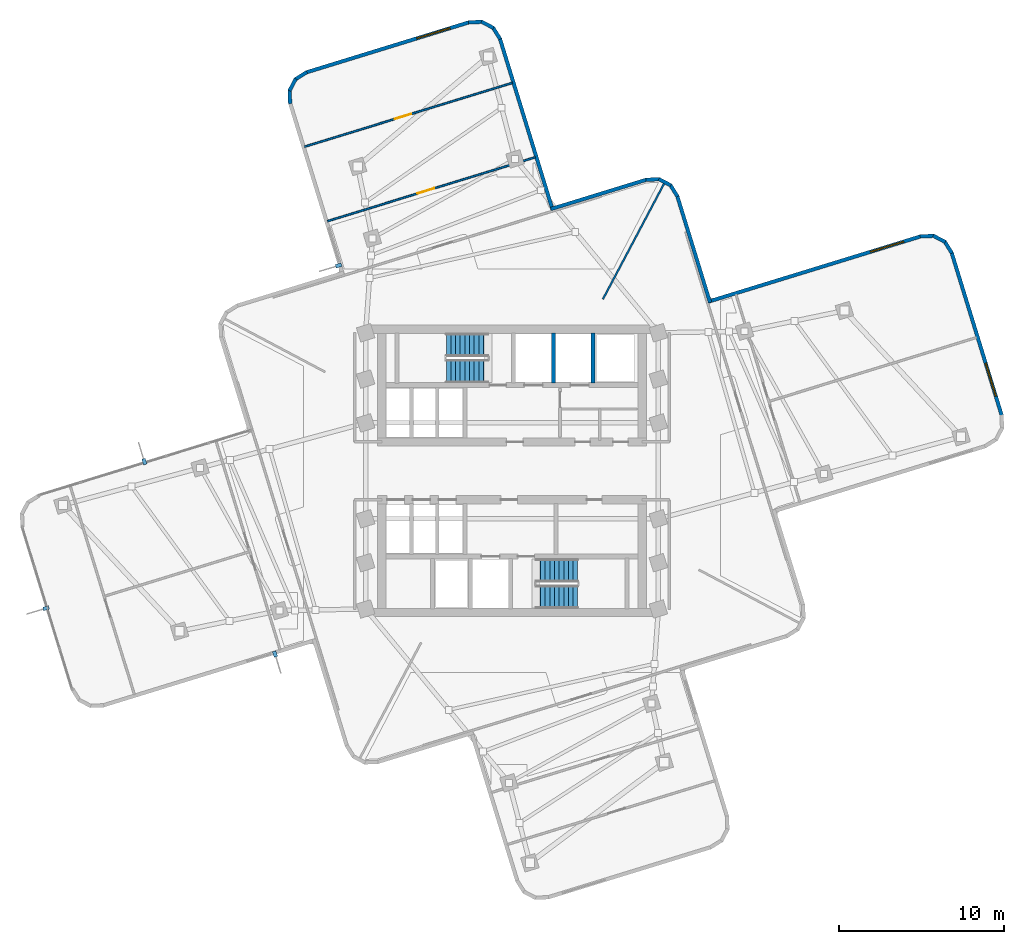
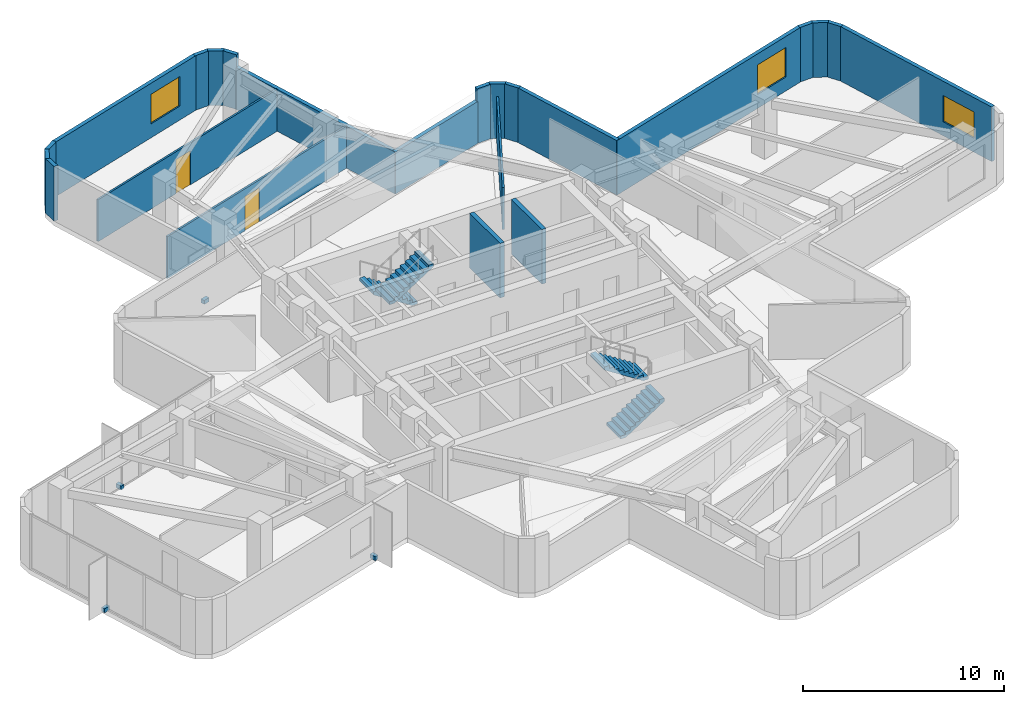
# One storey, part 8 of 10: 23 walls, 4 discrete accessories, 4 stair flights, 3 windows, 2 doors, 5 openings, 2 elements without a shape of their own.
"""IFC4 building model written with IfcOpenShell, lengths in metres."""

from ifc_helpers import new_model, si_unit, direction, frame, frame_2d, origin, origin_2d, place, context, subcontext, project, spatial, polyline, rectangle, outline, extrude, material, layer, layer_set, type_object, element, fill, aggregate, save


model = new_model("IFC4")

# Units and contexts
model_context = context("Model", 3, precision=1e-05, world=origin(), true_north=direction((0.0, 1.0)))
body_context = subcontext(model_context, "Body", "Model", "MODEL_VIEW")
ifc_project = project(units=[si_unit("LENGTHUNIT", "METRE"), si_unit("AREAUNIT", "SQUARE_METRE"), si_unit("VOLUMEUNIT", "CUBIC_METRE"), si_unit("PLANEANGLEUNIT", "RADIAN"), si_unit("MASSUNIT", "GRAM", prefix="KILO")], contexts=[model_context])

# Site, building, storey
site_placement = place(None, origin())
site = spatial("IfcSite", under=ifc_project, at=site_placement, CompositionType="ELEMENT")
building_placement = place(site_placement, origin())
building = spatial("IfcBuilding", under=site, at=building_placement, Name="Solmarez Civic Tower", CompositionType="ELEMENT")
storey_placement = place(building_placement, frame((0.0, 0.0, 148.679931640625)))
storey = spatial("IfcBuildingStorey", under=building, at=storey_placement, Name="L39", CompositionType="ELEMENT", Elevation=148.679931640625)

# Walls
ifc_material_1 = material(Name="Precast concrete C40/50", Category="concrete")
ifc_layer_1 = layer(ifc_material_1, 0.219970703125)
ifc_layer_set_1 = layer_set([ifc_layer_1], Name="Precast concrete C40/50")
wall_type_1 = type_object("IfcWallType", Name="WALL-EXT-220", PredefinedType="SOLIDWALL", material=ifc_layer_set_1)
wall_1_placement = place(storey_placement, frame((-13.416015625, 22.197998046875, 0.0), z_axis=(0.0, 0.0, 1.0), x_axis=(-0.037195813461, 0.999307996296, 0.0)))
element("IfcWall", 1, at=wall_1_placement, inside=storey, type_object=wall_type_1, Name="L39 Exterior Precast Wall 21", PredefinedType="SOLIDWALL", context=body_context, shape_type="SweptSolid", body=[
    extrude(rectangle(XDim=0.83349609375, YDim=0.219970703125, at=frame_2d((0.416748046875, 0.0))), origin(), (0.0, 0.0, 1.0), 3.320068359375),
])
wall_2_placement = place(storey_placement, frame((-13.4580078125, 22.98388671875, 0.0), z_axis=(0.0, 0.0, 1.0), x_axis=(0.46853080902, 0.883447158012, 0.0)))
element("IfcWall", 2, at=wall_2_placement, inside=storey, type_object=wall_type_1, Name="L39 Exterior Precast Wall 22", PredefinedType="SOLIDWALL", context=body_context, shape_type="SweptSolid", body=[
    extrude(rectangle(XDim=0.819580078125, YDim=0.219970703125, at=frame_2d((0.40966796875, 0.0))), origin(), (0.0, 0.0, 1.0), 3.320068359375),
])
wall_3_placement = place(storey_placement, frame((-13.10693359375, 23.673095703125, 0.0), z_axis=(0.0, 0.0, 1.0), x_axis=(0.847141460322, 0.531367430506, 0.0)))
element("IfcWall", 3, at=wall_3_placement, inside=storey, type_object=wall_type_1, Name="L39 Exterior Precast Wall 23", PredefinedType="SOLIDWALL", context=body_context, shape_type="SweptSolid", body=[
    extrude(rectangle(XDim=0.83349609375, YDim=0.219970703125, at=frame_2d((0.416748046875, 0.0))), origin(), (0.0, 0.0, 1.0), 3.320068359375),
])

# Wall, opening, window
wall_4_placement = place(storey_placement, frame((-12.446044921875, 24.095947265625, 0.0), z_axis=(0.0, 0.0, 1.0), x_axis=(0.955818382151, 0.293957854703, 0.0)))
wall_4 = element("IfcWall", 4, at=wall_4_placement, inside=storey, type_object=wall_type_1, Name="L39 Exterior Precast Wall 24", PredefinedType="SOLIDWALL", context=body_context, shape_type="SweptSolid", body=[
    extrude(rectangle(XDim=10.321044921875, YDim=0.219970703125, at=frame_2d((5.16064453125, 0.0))), origin(), (0.0, 0.0, 1.0), 3.320068359375),
])
opening_1_placement = place(wall_4_placement, frame((7.0, 0.0, 0.85009765625)))
opening_1 = element("IfcOpeningElement", 5, at=opening_1_placement, cuts=wall_4, Name="Opening W-07", PredefinedType="OPENING", context=body_context, shape_type="SweptSolid", body=[
    extrude(rectangle(XDim=2.10009765625, YDim=1.800048828125, at=frame_2d((1.050048828125, 0.89990234375))), frame((0.0, 0.119873046875, 0.0), z_axis=(0.0, -1.0, 0.0), x_axis=(1.0, 0.0, 0.0)), (0.0, 0.0, 1.0), 0.239990234375),
])
ifc_material_2 = material(Name="Solar Control Bronze-Tinted Insulating Glass", Category="glass")
window_type_1 = type_object("IfcWindowType", Name="WIN-2100X1800", PartitioningType="SINGLE_PANEL", PredefinedType="WINDOW", material=ifc_material_2)
window_1_placement = place(opening_1_placement, origin())
window_1 = element("IfcWindow", 6, at=window_1_placement, inside=storey, type_object=window_type_1, Name="L39 Exterior Facade Window 24", OverallHeight=1.800048828125, OverallWidth=2.10009765625, PartitioningType="SINGLE_PANEL", PredefinedType="WINDOW", context=body_context, shape_type="SweptSolid", body=[
    extrude(rectangle(XDim=2.10009765625, YDim=1.800048828125, at=frame_2d((1.050048828125, 0.89990234375))), frame((0.0, 0.030029296875, 0.0), z_axis=(0.0, -1.0, 0.0), x_axis=(1.0, 0.0, 0.0)), (0.0, 0.0, 1.0), 0.06005859375),
])
fill(opening_1, window_1)

# Walls
wall_5_placement = place(storey_placement, frame((-2.6298828125, 27.1220703125, 0.0), z_axis=(0.0, 0.0, 1.0), x_axis=(0.999309614288, 0.037152318798, 0.0)))
element("IfcWall", 7, at=wall_5_placement, inside=storey, type_object=wall_type_1, Name="L39 Exterior Precast Wall 25", PredefinedType="SOLIDWALL", context=body_context, shape_type="SweptSolid", body=[
    extrude(rectangle(XDim=0.83447265625, YDim=0.219970703125, at=frame_2d((0.417236328125, 0.0))), origin(), (0.0, 0.0, 1.0), 3.320068359375),
])
wall_6_placement = place(storey_placement, frame((-1.843017578125, 27.1640625, 0.0), z_axis=(0.0, 0.0, 1.0), x_axis=(0.883447158012, -0.46853080902, 0.0)))
element("IfcWall", 8, at=wall_6_placement, inside=storey, type_object=wall_type_1, Name="L39 Exterior Precast Wall 26", PredefinedType="SOLIDWALL", context=body_context, shape_type="SweptSolid", body=[
    extrude(rectangle(XDim=0.819580078125, YDim=0.219970703125, at=frame_2d((0.40966796875, 0.0))), origin(), (0.0, 0.0, 1.0), 3.320068359375),
])
wall_7_placement = place(storey_placement, frame((-1.154052734375, 26.81298828125, 0.0), z_axis=(0.0, 0.0, 1.0), x_axis=(0.530209456091, -0.847866695107, 0.0)))
element("IfcWall", 9, at=wall_7_placement, inside=storey, type_object=wall_type_1, Name="L39 Exterior Precast Wall 27", PredefinedType="SOLIDWALL", context=body_context, shape_type="SweptSolid", body=[
    extrude(rectangle(XDim=0.833984375, YDim=0.219970703125, at=frame_2d((0.4169921875, 0.0))), origin(), (0.0, 0.0, 1.0), 3.320068359375),
])
wall_8_placement = place(storey_placement, frame((-0.73193359375, 26.15087890625, 0.0), z_axis=(0.0, 0.0, 1.0), x_axis=(0.294057408358, -0.955787759175, 0.0)))
element("IfcWall", 10, at=wall_8_placement, inside=storey, type_object=wall_type_1, Name="L39 Exterior Precast Wall 28", PredefinedType="SOLIDWALL", context=body_context, shape_type="SweptSolid", body=[
    extrude(rectangle(XDim=10.85791015625, YDim=0.219970703125, at=frame_2d((5.428955078125, 0.0))), origin(), (0.0, 0.0, 1.0), 2.550048828125),
])
wall_9_placement = place(storey_placement, frame((2.35107421875, 15.8310546875, 0.0), z_axis=(0.0, 0.0, 1.0), x_axis=(0.955818207028, 0.293958424126, 0.0)))
element("IfcWall", 11, at=wall_9_placement, inside=storey, type_object=wall_type_1, Name="L39 Exterior Precast Wall 31", PredefinedType="SOLIDWALL", context=body_context, shape_type="SweptSolid", body=[
    extrude(rectangle(XDim=6.05859375, YDim=0.219970703125, at=frame_2d((3.029296875, 0.0))), origin(), (0.0, 0.0, 1.0), 2.550048828125),
])
wall_10_placement = place(storey_placement, frame((8.093017578125, 17.60400390625, 0.0), z_axis=(0.0, 0.0, 1.0), x_axis=(0.999307996296, 0.037195813461, 0.0)))
element("IfcWall", 12, at=wall_10_placement, inside=storey, type_object=wall_type_1, Name="L39 Exterior Precast Wall 32", PredefinedType="SOLIDWALL", context=body_context, shape_type="SweptSolid", body=[
    extrude(rectangle(XDim=0.83349609375, YDim=0.219970703125, at=frame_2d((0.416748046875, 0.0))), origin(), (0.0, 0.0, 1.0), 3.320068359375),
])
wall_11_placement = place(storey_placement, frame((8.87890625, 17.64599609375, 0.0), z_axis=(0.0, 0.0, 1.0), x_axis=(0.883447158012, -0.46853080902, 0.0)))
element("IfcWall", 13, at=wall_11_placement, inside=storey, type_object=wall_type_1, Name="L39 Exterior Precast Wall 33", PredefinedType="SOLIDWALL", context=body_context, shape_type="SweptSolid", body=[
    extrude(rectangle(XDim=0.819580078125, YDim=0.219970703125, at=frame_2d((0.40966796875, 0.0))), origin(), (0.0, 0.0, 1.0), 3.320068359375),
])
wall_12_placement = place(storey_placement, frame((9.568115234375, 17.294921875, 0.0), z_axis=(0.0, 0.0, 1.0), x_axis=(0.531499315411, -0.847058721529, 0.0)))
element("IfcWall", 14, at=wall_12_placement, inside=storey, type_object=wall_type_1, Name="L39 Exterior Precast Wall 34", PredefinedType="SOLIDWALL", context=body_context, shape_type="SweptSolid", body=[
    extrude(rectangle(XDim=0.833251953125, YDim=0.219970703125, at=frame_2d((0.41650390625, 0.0))), origin(), (0.0, 0.0, 1.0), 3.320068359375),
])
wall_13_placement = place(storey_placement, frame((9.990966796875, 16.634033203125, 0.0), z_axis=(0.0, 0.0, 1.0), x_axis=(0.294002082259, -0.955804779036, 0.0)))
element("IfcWall", 15, at=wall_13_placement, inside=storey, type_object=wall_type_1, Name="L39 Exterior Precast Wall 35", PredefinedType="SOLIDWALL", context=body_context, shape_type="SweptSolid", body=[
    extrude(rectangle(XDim=6.758544921875, YDim=0.219970703125, at=frame_2d((3.37939453125, 0.0))), origin(), (0.0, 0.0, 1.0), 3.320068359375),
])

# Wall, opening, window
wall_14_placement = place(storey_placement, frame((11.867919921875, 10.23193359375, 0.0), z_axis=(0.0, 0.0, 1.0), x_axis=(0.955802538335, 0.29400936671, 0.0)))
wall_14 = element("IfcWall", 16, at=wall_14_placement, inside=storey, type_object=wall_type_1, Name="L39 Exterior Precast Wall 38", PredefinedType="SOLIDWALL", context=body_context, shape_type="SweptSolid", body=[
    extrude(rectangle(XDim=13.458740234375, YDim=0.219970703125, at=frame_2d((6.7294921875, 0.0))), origin(), (0.0, 0.0, 1.0), 3.320068359375),
])
opening_2_placement = place(wall_14_placement, frame((10.259033203125, 0.0, 0.85009765625)))
opening_2 = element("IfcOpeningElement", 17, at=opening_2_placement, cuts=wall_14, Name="Opening W-07", PredefinedType="OPENING", context=body_context, shape_type="SweptSolid", body=[
    extrude(rectangle(XDim=2.10009765625, YDim=1.800048828125, at=frame_2d((1.050048828125, 0.89990234375))), frame((0.0, 0.119873046875, 0.0), z_axis=(0.0, -1.0, 0.0), x_axis=(1.0, 0.0, 0.0)), (0.0, 0.0, 1.0), 0.239990234375),
])
window_2_placement = place(opening_2_placement, origin())
window_2 = element("IfcWindow", 18, at=window_2_placement, inside=storey, type_object=window_type_1, Name="L39 Exterior Facade Window 38", OverallHeight=1.800048828125, OverallWidth=2.10009765625, PartitioningType="SINGLE_PANEL", PredefinedType="WINDOW", context=body_context, shape_type="SweptSolid", body=[
    extrude(rectangle(XDim=2.10009765625, YDim=1.800048828125, at=frame_2d((1.050048828125, 0.89990234375))), frame((0.0, 0.030029296875, 0.0), z_axis=(0.0, -1.0, 0.0), x_axis=(1.0, 0.0, 0.0)), (0.0, 0.0, 1.0), 0.06005859375),
])
fill(opening_2, window_2)

# Walls
wall_15_placement = place(storey_placement, frame((24.68310546875, 14.180908203125, 0.0), z_axis=(0.0, 0.0, 1.0), x_axis=(0.999307996296, 0.037195813461, 0.0)))
element("IfcWall", 19, at=wall_15_placement, inside=storey, type_object=wall_type_1, Name="L39 Exterior Precast Wall 39", PredefinedType="SOLIDWALL", context=body_context, shape_type="SweptSolid", body=[
    extrude(rectangle(XDim=0.83349609375, YDim=0.219970703125, at=frame_2d((0.416748046875, 0.0))), origin(), (0.0, 0.0, 1.0), 3.320068359375),
])
wall_16_placement = place(storey_placement, frame((25.468994140625, 14.222900390625, 0.0), z_axis=(0.0, 0.0, 1.0), x_axis=(0.883570434709, -0.468298288389, 0.0)))
element("IfcWall", 20, at=wall_16_placement, inside=storey, type_object=wall_type_1, Name="L39 Exterior Precast Wall 40", PredefinedType="SOLIDWALL", context=body_context, shape_type="SweptSolid", body=[
    extrude(rectangle(XDim=0.819580078125, YDim=0.219970703125, at=frame_2d((0.40966796875, 0.0))), origin(), (0.0, 0.0, 1.0), 3.320068359375),
])
wall_17_placement = place(storey_placement, frame((26.157958984375, 13.8720703125, 0.0), z_axis=(0.0, 0.0, 1.0), x_axis=(0.531050540535, -0.847340146221, 0.0)))
element("IfcWall", 21, at=wall_17_placement, inside=storey, type_object=wall_type_1, Name="L39 Exterior Precast Wall 41", PredefinedType="SOLIDWALL", context=body_context, shape_type="SweptSolid", body=[
    extrude(rectangle(XDim=0.83447265625, YDim=0.219970703125, at=frame_2d((0.417236328125, 0.0))), origin(), (0.0, 0.0, 1.0), 3.320068359375),
])

# Wall, opening, window
wall_18_placement = place(storey_placement, frame((26.5810546875, 13.2099609375, 0.0), z_axis=(0.0, 0.0, 1.0), x_axis=(0.293957854703, -0.955818382151, 0.0)))
wall_18 = element("IfcWall", 22, at=wall_18_placement, inside=storey, type_object=wall_type_1, Name="L39 Exterior Precast Wall 42", PredefinedType="SOLIDWALL", context=body_context, shape_type="SweptSolid", body=[
    extrude(rectangle(XDim=10.321044921875, YDim=0.219970703125, at=frame_2d((5.16064453125, 0.0))), origin(), (0.0, 0.0, 1.0), 3.320068359375),
])
opening_3_placement = place(wall_18_placement, frame((7.0, 0.0, 0.85009765625)))
opening_3 = element("IfcOpeningElement", 23, at=opening_3_placement, cuts=wall_18, Name="Opening W-11", PredefinedType="OPENING", context=body_context, shape_type="SweptSolid", body=[
    extrude(rectangle(XDim=2.10009765625, YDim=1.60009765625, at=frame_2d((1.050048828125, 0.800048828125))), frame((0.0, 0.119873046875, 0.0), z_axis=(0.0, -1.0, 0.0), x_axis=(1.0, 0.0, 0.0)), (0.0, 0.0, 1.0), 0.239990234375),
])
window_type_2 = type_object("IfcWindowType", Name="WIN-2100X1600", PartitioningType="SINGLE_PANEL", PredefinedType="WINDOW", material=ifc_material_2)
window_3_placement = place(opening_3_placement, origin())
window_3 = element("IfcWindow", 24, at=window_3_placement, inside=storey, type_object=window_type_2, Name="L39 Exterior Facade Window 42", OverallHeight=1.60009765625, OverallWidth=2.10009765625, PartitioningType="SINGLE_PANEL", PredefinedType="WINDOW", context=body_context, shape_type="SweptSolid", body=[
    extrude(rectangle(XDim=2.10009765625, YDim=1.60009765625, at=frame_2d((1.050048828125, 0.800048828125))), frame((0.0, 0.030029296875, 0.0), z_axis=(0.0, -1.0, 0.0), x_axis=(1.0, 0.0, 0.0)), (0.0, 0.0, 1.0), 0.06005859375),
])
fill(opening_3, window_3)

# Wall
ifc_material_3 = material(Name="Gypsum Board Acoustic Steel-Stud Partition", Category="steel")
ifc_layer_2 = layer(ifc_material_3, 0.110107421875)
ifc_layer_set_2 = layer_set([ifc_layer_2], Name="Gypsum Board Acoustic Steel-Stud Partition")
wall_type_2 = type_object("IfcWallType", Name="WALL-INT-PART-110", PredefinedType="PARTITIONING", material=ifc_layer_set_2)
wall_19_placement = place(storey_placement, frame((5.4951171875, 10.3798828125, 0.0), z_axis=(0.0, 0.0, 1.0), x_axis=(0.467965518706, 0.883746724635, 0.0)))
element("IfcWall", 25, at=wall_19_placement, inside=storey, type_object=wall_type_2, Name="L39 Interior Partition PT-L39-QDIV-1", PredefinedType="PARTITIONING", context=body_context, shape_type="SweptSolid", body=[
    extrude(rectangle(XDim=7.929931640625, YDim=0.110107421875, at=frame_2d((3.96484375, 0.0))), origin(), (0.0, 0.0, 1.0), 2.550048828125),
])

# Wall, opening, door
wall_20_placement = place(storey_placement, frame((-11.14794921875, 15.10009765625, 0.0), z_axis=(0.0, 0.0, 1.0), x_axis=(0.955815184052, 0.29396825328, 0.0)))
wall_20 = element("IfcWall", 26, at=wall_20_placement, inside=storey, type_object=wall_type_2, Name="L39 Interior Partition PT-L39-N-SC1", PredefinedType="PARTITIONING", context=body_context, shape_type="SweptSolid", body=[
    extrude(rectangle(XDim=13.130126953125, YDim=0.110107421875, at=frame_2d((6.56494140625, 0.0))), origin(), (0.0, 0.0, 1.0), 2.550048828125),
])
opening_4_placement = place(wall_20_placement, frame((5.68994140625, 0.0, 0.0)))
opening_4 = element("IfcOpeningElement", 27, at=opening_4_placement, cuts=wall_20, Name="Opening D-13", PredefinedType="OPENING", context=body_context, shape_type="SweptSolid", body=[
    extrude(rectangle(XDim=1.050048828125, YDim=2.080078125, at=frame_2d((0.52490234375, 1.0400390625))), frame((0.0, 0.06494140625, 0.0), z_axis=(0.0, -1.0, 0.0), x_axis=(1.0, 0.0, 0.0)), (0.0, 0.0, 1.0), 0.130126953125),
])
ifc_material_4 = material(Name="Timber Directorate Office Door", Category="wood")
door_type = type_object("IfcDoorType", Name="DOOR-INT-1050", OperationType="NOTDEFINED", PredefinedType="DOOR", material=ifc_material_4)
door_1_placement = place(opening_4_placement, origin())
door_1 = element("IfcDoor", 28, at=door_1_placement, inside=storey, type_object=door_type, Name="L39 Legal Study Room North Door", OperationType="SINGLE_SWING_LEFT", OverallHeight=2.080078125, OverallWidth=1.050048828125, PredefinedType="DOOR", context=body_context, shape_type="SweptSolid", body=[
    extrude(rectangle(XDim=1.050048828125, YDim=2.080078125, at=frame_2d((0.52490234375, 1.0400390625))), frame((0.0, 0.02490234375, 0.0), z_axis=(0.0, -1.0, 0.0), x_axis=(1.0, 0.0, 0.0)), (0.0, 0.0, 1.0), 0.050048828125),
])
fill(opening_4, door_1)

wall_21_placement = place(storey_placement, frame((-12.532958984375, 19.60205078125, 0.0), z_axis=(0.0, 0.0, 1.0), x_axis=(0.955815184052, 0.29396825328, 0.0)))
wall_21 = element("IfcWall", 29, at=wall_21_placement, inside=storey, type_object=wall_type_2, Name="L39 Interior Partition PT-L39-N-SC2", PredefinedType="PARTITIONING", context=body_context, shape_type="SweptSolid", body=[
    extrude(rectangle(XDim=13.130126953125, YDim=0.110107421875, at=frame_2d((6.56494140625, 0.0))), origin(), (0.0, 0.0, 1.0), 2.550048828125),
])
opening_5_placement = place(wall_21_placement, frame((5.68994140625, 0.0, 0.0)))
opening_5 = element("IfcOpeningElement", 30, at=opening_5_placement, cuts=wall_21, Name="Opening D-13", PredefinedType="OPENING", context=body_context, shape_type="SweptSolid", body=[
    extrude(rectangle(XDim=1.050048828125, YDim=2.080078125, at=frame_2d((0.52490234375, 1.0400390625))), frame((0.0, 0.06494140625, 0.0), z_axis=(0.0, -1.0, 0.0), x_axis=(1.0, 0.0, 0.0)), (0.0, 0.0, 1.0), 0.130126953125),
])
door_2_placement = place(opening_5_placement, origin())
door_2 = element("IfcDoor", 31, at=door_2_placement, inside=storey, type_object=door_type, Name="L39 Municipal Law Library North Door", OperationType="SINGLE_SWING_RIGHT", OverallHeight=2.080078125, OverallWidth=1.050048828125, PredefinedType="DOOR", context=body_context, shape_type="SweptSolid", body=[
    extrude(rectangle(XDim=1.050048828125, YDim=2.080078125, at=frame_2d((0.52490234375, 1.0400390625))), frame((0.0, 0.02490234375, 0.0), z_axis=(0.0, -1.0, 0.0), x_axis=(1.0, 0.0, 0.0)), (0.0, 0.0, 1.0), 0.050048828125),
])
fill(opening_5, door_2)

# Walls
ifc_material_5 = material(Name="Concrete C50/60", Category="concrete")
ifc_layer_3 = layer(ifc_material_5, 0.300048828125)
ifc_layer_set_3 = layer_set([ifc_layer_3], Name="Concrete C50/60")
wall_type_3 = type_object("IfcWallType", Name="WALL-STR-300", PredefinedType="SOLIDWALL", material=ifc_layer_set_3)
for number, where, z_axis, x_axis, name in (
    (32, (2.5, 5.300048828125, 0.0), (0.0, 0.0, 1.0), (0.0, 1.0, 0.0), "L39 Split-Core Structural Wall SHW-N2-L39"),
    (33, (4.89990234375, 5.300048828125, 0.0), (0.0, 0.0, 1.0), (0.0, 1.0, 0.0), "L39 Split-Core Structural Wall SHW-N3-L39"),
):
    element("IfcWall", number, at=place(storey_placement, frame(where, z_axis=z_axis, x_axis=x_axis)), inside=storey, type_object=wall_type_3, Name=name, PredefinedType="SOLIDWALL", context=body_context, shape_type="SweptSolid", body=[
        extrude(rectangle(XDim=3.0400390625, YDim=0.25, at=frame_2d((1.52001953125, 0.0))), origin(), (0.0, 0.0, 1.0), 3.320068359375),
    ])

# Stair, stair flights
stair_type = type_object("IfcStairType", Name="STAIR-DOGLEG-140W-20R-1800", PredefinedType="HALF_TURN_STAIR", material=ifc_material_5)
stair_1_placement = place(storey_placement, origin())
stair_1 = element("IfcStair", 34, at=stair_1_placement, inside=storey, type_object=stair_type, Name="L39 North Core Protected Exit Stair ST-1", PredefinedType="HALF_TURN_STAIR")
stair_flight_type = type_object("IfcStairFlightType", Name="FLIGHT-DOGLEG-140W-10R-1800", PredefinedType="STRAIGHT", material=ifc_material_5)
stair_flight_1_placement = place(storey_placement, frame((-1.449951171875, 7.6201171875, 0.0), z_axis=(0.0, 0.0, 1.0), x_axis=(-1.0, 0.0, 0.0)))
stair_flight_1 = element("IfcStairFlight", 35, at=stair_flight_1_placement, type_object=stair_flight_type, Name="ST-1 flight 1", NumberOfRisers=10, NumberOfTreads=9, PredefinedType="STRAIGHT", RiserHeight=0.18, TreadLength=0.28, context=body_context, shape_type="SweptSolid", body=[
    extrude(outline(polyline([(0.0, 0.0), (0.0, 0.179931640625), (0.280029296875, 0.179931640625), (0.280029296875, 0.360107421875), (0.56005859375, 0.360107421875), (0.56005859375, 0.5400390625), (0.840087890625, 0.5400390625), (0.840087890625, 0.719970703125), (1.1201171875, 0.719970703125), (1.1201171875, 0.89990234375), (1.39990234375, 0.89990234375), (1.39990234375, 1.080078125), (1.679931640625, 1.080078125), (1.679931640625, 1.260009765625), (1.9599609375, 1.260009765625), (1.9599609375, 1.43994140625), (2.239990234375, 1.43994140625), (2.239990234375, 1.6201171875), (2.52001953125, 1.6201171875), (2.52001953125, 1.800048828125), (2.52001953125, 1.429931640625), (0.295654296875, 0.0), (0.0, 0.0)])), frame((0.0, 0.699951171875, 0.0), z_axis=(0.0, -1.0, 0.0), x_axis=(1.0, 0.0, 0.0)), (0.0, 0.0, 1.0), 1.39990234375),
])
stair_flight_2_placement = place(storey_placement, frame((-3.969970703125, 6.02001953125, 1.800048828125), z_axis=(0.0, 0.0, 1.0), x_axis=(1.0, 0.0, 0.0)))
stair_flight_2 = element("IfcStairFlight", 36, at=stair_flight_2_placement, type_object=stair_flight_type, Name="ST-1 flight 2", NumberOfRisers=10, NumberOfTreads=9, PredefinedType="STRAIGHT", RiserHeight=0.18, TreadLength=0.28, context=body_context, shape_type="SweptSolid", body=[
    extrude(outline(polyline([(0.0, 0.0), (0.0, 0.179931640625), (0.280029296875, 0.179931640625), (0.280029296875, 0.360107421875), (0.56005859375, 0.360107421875), (0.56005859375, 0.5400390625), (0.840087890625, 0.5400390625), (0.840087890625, 0.719970703125), (1.1201171875, 0.719970703125), (1.1201171875, 0.89990234375), (1.39990234375, 0.89990234375), (1.39990234375, 1.080078125), (1.679931640625, 1.080078125), (1.679931640625, 1.260009765625), (1.9599609375, 1.260009765625), (1.9599609375, 1.43994140625), (2.239990234375, 1.43994140625), (2.239990234375, 1.6201171875), (2.52001953125, 1.6201171875), (2.52001953125, 1.800048828125), (2.52001953125, 1.429931640625), (0.295654296875, 0.0), (0.0, 0.0)])), frame((0.0, 0.699951171875, 0.0), z_axis=(0.0, -1.0, 0.0), x_axis=(1.0, 0.0, 0.0)), (0.0, 0.0, 1.0), 1.39990234375),
])
aggregate(stair_1, [stair_flight_1, stair_flight_2])

stair_2_placement = place(storey_placement, origin())
stair_2 = element("IfcStair", 37, at=stair_2_placement, inside=storey, type_object=stair_type, Name="L39 South Core Protected Exit Stair ST-2", PredefinedType="HALF_TURN_STAIR")
stair_flight_3_placement = place(storey_placement, frame((1.449951171875, -7.6201171875, 0.0), z_axis=(0.0, 0.0, 1.0), x_axis=(1.0, 0.0, 0.0)))
stair_flight_3 = element("IfcStairFlight", 38, at=stair_flight_3_placement, type_object=stair_flight_type, Name="ST-2 flight 1", NumberOfRisers=10, NumberOfTreads=9, PredefinedType="STRAIGHT", RiserHeight=0.18, TreadLength=0.28, context=body_context, shape_type="SweptSolid", body=[
    extrude(outline(polyline([(0.0, 0.0), (0.0, 0.179931640625), (0.280029296875, 0.179931640625), (0.280029296875, 0.360107421875), (0.56005859375, 0.360107421875), (0.56005859375, 0.5400390625), (0.840087890625, 0.5400390625), (0.840087890625, 0.719970703125), (1.1201171875, 0.719970703125), (1.1201171875, 0.89990234375), (1.39990234375, 0.89990234375), (1.39990234375, 1.080078125), (1.679931640625, 1.080078125), (1.679931640625, 1.260009765625), (1.9599609375, 1.260009765625), (1.9599609375, 1.43994140625), (2.239990234375, 1.43994140625), (2.239990234375, 1.6201171875), (2.52001953125, 1.6201171875), (2.52001953125, 1.800048828125), (2.52001953125, 1.429931640625), (0.295654296875, 0.0), (0.0, 0.0)])), frame((0.0, 0.699951171875, 0.0), z_axis=(0.0, -1.0, 0.0), x_axis=(1.0, 0.0, 0.0)), (0.0, 0.0, 1.0), 1.39990234375),
])
stair_flight_4_placement = place(storey_placement, frame((3.969970703125, -6.02001953125, 1.800048828125), z_axis=(0.0, 0.0, 1.0), x_axis=(-1.0, 0.0, 0.0)))
stair_flight_4 = element("IfcStairFlight", 39, at=stair_flight_4_placement, type_object=stair_flight_type, Name="ST-2 flight 2", NumberOfRisers=10, NumberOfTreads=9, PredefinedType="STRAIGHT", RiserHeight=0.18, TreadLength=0.28, context=body_context, shape_type="SweptSolid", body=[
    extrude(outline(polyline([(0.0, 0.0), (0.0, 0.179931640625), (0.280029296875, 0.179931640625), (0.280029296875, 0.360107421875), (0.56005859375, 0.360107421875), (0.56005859375, 0.5400390625), (0.840087890625, 0.5400390625), (0.840087890625, 0.719970703125), (1.1201171875, 0.719970703125), (1.1201171875, 0.89990234375), (1.39990234375, 0.89990234375), (1.39990234375, 1.080078125), (1.679931640625, 1.080078125), (1.679931640625, 1.260009765625), (1.9599609375, 1.260009765625), (1.9599609375, 1.43994140625), (2.239990234375, 1.43994140625), (2.239990234375, 1.6201171875), (2.52001953125, 1.6201171875), (2.52001953125, 1.800048828125), (2.52001953125, 1.429931640625), (0.295654296875, 0.0), (0.0, 0.0)])), frame((0.0, 0.699951171875, 0.0), z_axis=(0.0, -1.0, 0.0), x_axis=(1.0, 0.0, 0.0)), (0.0, 0.0, 1.0), 1.39990234375),
])
aggregate(stair_2, [stair_flight_3, stair_flight_4])

# Discrete accessories
ifc_material_6 = material(Name="Stainless Steel Grade 1.4401", Category="steel")
discrete_accessory_type = type_object("IfcDiscreteAccessoryType", Name="BRACKET-SS-FIN", PredefinedType="BRACKET", material=ifc_material_6)
for number, where, z_axis, x_axis, name in (
    (40, (-14.330078125, -11.072998046875, -0.06005859375), (0.0, 0.0, 1.0), (0.294022664546, -0.955798447756, 0.0), "L39 Stainless Fin Support Bracket FIN-L39-01"),
    (41, (-28.174072265625, -8.301025390625, -0.06005859375), (0.0, 0.0, 1.0), (-0.955795848028, -0.294031115516, 0.0), "L39 Stainless Fin Support Bracket FIN-L39-02"),
    (42, (-22.22900390625, 0.55908203125, -0.06005859375), (0.0, 0.0, 1.0), (-0.294022664546, 0.955798447756, 0.0), "L39 Stainless Fin Support Bracket FIN-L39-03"),
    (43, (-10.485107421875, 12.41796875, -0.06005859375), (0.0, 0.0, 1.0), (-0.955813207879, -0.293974678575, 0.0), "L39 Stainless Fin Support Bracket FIN-L39-04"),
):
    element("IfcDiscreteAccessory", number, at=place(storey_placement, frame(where, z_axis=z_axis, x_axis=x_axis)), inside=storey, type_object=discrete_accessory_type, Name=name, PredefinedType="BRACKET", context=body_context, shape_type="SweptSolid", body=[
        extrude(rectangle(XDim=0.360107421875, YDim=0.219970703125, at=origin_2d()), origin(), (0.0, 0.0, 1.0), 0.239990234375),
    ])

save(model, "model.ifc")
